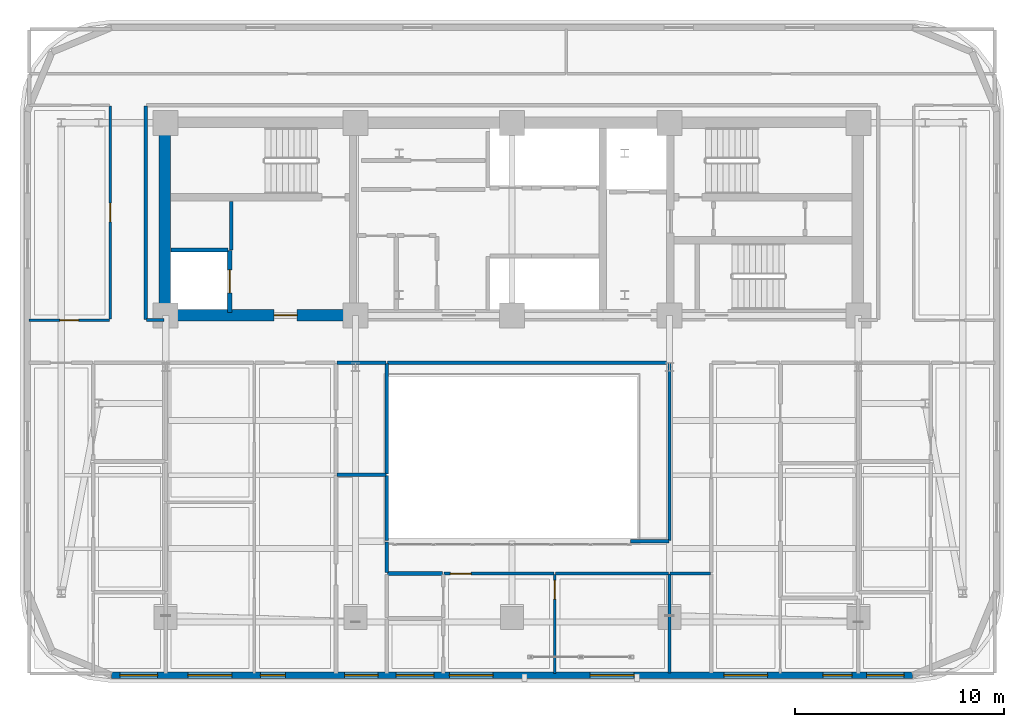
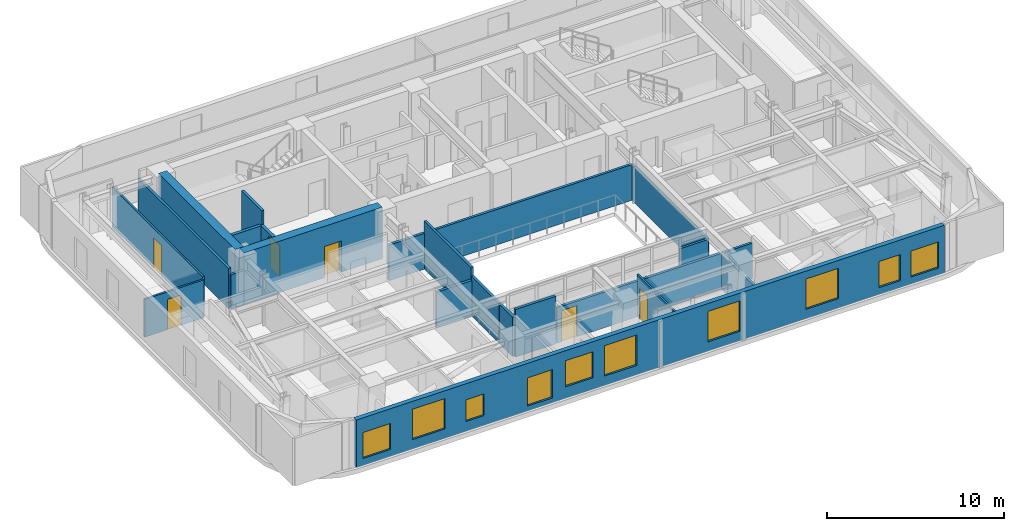
# One storey, part 7 of 13: 24 walls, 10 windows, 6 doors, 16 openings.
"""IFC4 building model written with IfcOpenShell, lengths in metres."""

from ifc_helpers import new_model, si_unit, direction, frame, frame_2d, origin, place, context, subcontext, project, spatial, rectangle, extrude, material, layer, layer_set, type_object, element, fill, save


model = new_model("IFC4")

# Units and contexts
model_context = context("Model", 3, precision=1e-05, world=origin(), true_north=direction((0.0, 1.0)))
body_context = subcontext(model_context, "Body", "Model", "MODEL_VIEW")
ifc_project = project(units=[si_unit("LENGTHUNIT", "METRE"), si_unit("AREAUNIT", "SQUARE_METRE"), si_unit("VOLUMEUNIT", "CUBIC_METRE"), si_unit("PLANEANGLEUNIT", "RADIAN"), si_unit("MASSUNIT", "GRAM", prefix="KILO")], contexts=[model_context])

# Site, building, storey
site_placement = place(None, origin())
site = spatial("IfcSite", under=ifc_project, at=site_placement, CompositionType="ELEMENT")
building_placement = place(site_placement, origin())
building = spatial("IfcBuilding", under=site, at=building_placement, Name="Zarnavel Station Tower", CompositionType="ELEMENT")
storey_placement = place(building_placement, frame((0.0, 0.0, 141.25)))
storey = spatial("IfcBuildingStorey", under=building, at=storey_placement, Name="L38", CompositionType="ELEMENT", Elevation=141.25)

# Wall, opening, door
ifc_material_1 = material(Name="Concrete C50/60", Category="concrete")
ifc_layer_1 = layer(ifc_material_1, 0.550048828125)
ifc_layer_set_1 = layer_set([ifc_layer_1], Name="CW_550")
wall_type_1 = type_object("IfcWallType", Name="CW_550", PredefinedType="SHEAR", material=ifc_layer_set_1)
wall_1_placement = place(storey_placement, frame((21.179931640625, 27.820068359375, 0.0), z_axis=(0.0, 0.0, 1.0), x_axis=(-1.0, 0.0, 0.0)))
wall_1 = element("IfcWall", 1, at=wall_1_placement, inside=storey, type_object=wall_type_1, Name="L38 Rear Core Shear Wall S-W", PredefinedType="SHEAR", context=body_context, shape_type="SweptSolid", body=[
    extrude(rectangle(XDim=9.030029296875, YDim=0.550048828125, at=frame_2d((4.51513671875, 0.0))), origin(), (0.0, 0.0, 1.0), 3.550048828125),
])
opening_1_placement = place(wall_1_placement, frame((2.679931640625, 0.0, 0.0)))
opening_1 = element("IfcOpeningElement", 2, at=opening_1_placement, cuts=wall_1, Name="Opening FD01", PredefinedType="OPENING", context=body_context, shape_type="SweptSolid", body=[
    extrude(rectangle(XDim=1.10009765625, YDim=2.14990234375, at=frame_2d((0.550048828125, 1.074951171875))), frame((0.0, 0.284912109375, 0.0), z_axis=(0.0, -1.0, 0.0), x_axis=(1.0, 0.0, 0.0)), (0.0, 0.0, 1.0), 0.570068359375),
])
ifc_material_2 = material(Name="Painted Galvanised Steel and Hardwood Leaf", Category="steel")
door_type_1 = type_object("IfcDoorType", Name="ID_STAIR_1100", OperationType="NOTDEFINED", PredefinedType="DOOR", material=ifc_material_2)
door_1_placement = place(opening_1_placement, origin())
door_1 = element("IfcDoor", 3, at=door_1_placement, inside=storey, type_object=door_type_1, Name="L38 West Firefighting Lobby Door", OperationType="SINGLE_SWING_RIGHT", OverallHeight=2.14990234375, OverallWidth=1.10009765625, PredefinedType="DOOR", context=body_context, shape_type="SweptSolid", body=[
    extrude(rectangle(XDim=1.10009765625, YDim=2.14990234375, at=frame_2d((0.550048828125, 1.074951171875))), frame((0.0, 0.02490234375, 0.0), z_axis=(0.0, -1.0, 0.0), x_axis=(1.0, 0.0, 0.0)), (0.0, 0.0, 1.0), 0.050048828125),
])
fill(opening_1, door_1)

# Wall
wall_2_placement = place(storey_placement, frame((12.14990234375, 28.094970703125, 0.0), z_axis=(0.0, 0.0, 1.0), x_axis=(0.0, 1.0, 0.0)))
element("IfcWall", 4, at=wall_2_placement, inside=storey, type_object=wall_type_1, Name="L38 Rear Core Shear Wall W", PredefinedType="SHEAR", context=body_context, shape_type="SweptSolid", body=[
    extrude(rectangle(XDim=8.679931640625, YDim=0.550048828125, at=frame_2d((4.33984375, 0.0))), origin(), (0.0, 0.0, 1.0), 3.550048828125),
])

# Wall, openings, windows
ifc_material_3 = material(Name="Precast concrete C45/55 (Dark Basalt Finish)", Category="masonry")
ifc_layer_2 = layer(ifc_material_3, 0.300048828125)
ifc_layer_set_2 = layer_set([ifc_layer_2], Name="EW_BASALT_300")
wall_type_2 = type_object("IfcWallType", Name="EW_BASALT_300", PredefinedType="SOLIDWALL", material=ifc_layer_set_2)
wall_3_placement = place(storey_placement, frame((48.0, 10.580078125, 0.0), z_axis=(0.0, 0.0, 1.0), x_axis=(-1.0, 0.0, 0.0)))
wall_3 = element("IfcWall", 5, at=wall_3_placement, inside=storey, type_object=wall_type_2, Name="L38 Exterior Basalt Masonry Frame Wall 12", PredefinedType="SOLIDWALL", context=body_context, shape_type="SweptSolid", body=[
    extrude(rectangle(XDim=38.39990234375, YDim=0.300048828125, at=frame_2d((19.199951171875, 0.0))), origin(), (0.0, 0.0, 1.0), 3.2900390625),
])
opening_2_placement = place(wall_3_placement, frame((36.18994140625, 0.0, 0.47998046875)))
opening_2 = element("IfcOpeningElement", 6, at=opening_2_placement, cuts=wall_3, Name="Opening WN02", PredefinedType="OPENING", context=body_context, shape_type="SweptSolid", body=[
    extrude(rectangle(XDim=1.800048828125, YDim=1.800048828125, at=frame_2d((0.89990234375, 0.89990234375))), frame((0.0, 0.159912109375, 0.0), z_axis=(0.0, -1.0, 0.0), x_axis=(1.0, 0.0, 0.0)), (0.0, 0.0, 1.0), 0.320068359375),
])
opening_3_placement = place(wall_3_placement, frame((30.06005859375, 0.0, 0.679931640625)))
opening_3 = element("IfcOpeningElement", 7, at=opening_3_placement, cuts=wall_3, Name="Opening WN08", PredefinedType="OPENING", context=body_context, shape_type="SweptSolid", body=[
    extrude(rectangle(XDim=1.199951171875, YDim=1.5, at=frame_2d((0.60009765625, 0.75))), frame((0.0, 0.159912109375, 0.0), z_axis=(0.0, -1.0, 0.0), x_axis=(1.0, 0.0, 0.0)), (0.0, 0.0, 1.0), 0.320068359375),
])
opening_4_placement = place(wall_3_placement, frame((25.618896484375, 0.0, 0.340087890625)))
opening_4 = element("IfcOpeningElement", 8, at=opening_4_placement, cuts=wall_3, Name="Opening WN06", PredefinedType="OPENING", context=body_context, shape_type="SweptSolid", body=[
    extrude(rectangle(XDim=1.60009765625, YDim=1.949951171875, at=frame_2d((0.800048828125, 0.97509765625))), frame((0.0, 0.159912109375, 0.0), z_axis=(0.0, -1.0, 0.0), x_axis=(1.0, 0.0, 0.0)), (0.0, 0.0, 1.0), 0.320068359375),
])
opening_5_placement = place(wall_3_placement, frame((32.6298828125, 0.0, 0.64990234375)))
opening_5 = element("IfcOpeningElement", 9, at=opening_5_placement, cuts=wall_3, Name="Opening WN05", PredefinedType="OPENING", context=body_context, shape_type="SweptSolid", body=[
    extrude(rectangle(XDim=2.10009765625, YDim=2.10009765625, at=frame_2d((1.050048828125, 1.050048828125))), frame((0.0, 0.159912109375, 0.0), z_axis=(0.0, -1.0, 0.0), x_axis=(1.0, 0.0, 0.0)), (0.0, 0.0, 1.0), 0.320068359375),
])
opening_6_placement = place(wall_3_placement, frame((20.10009765625, 0.0, 0.64990234375)))
opening_6 = element("IfcOpeningElement", 10, at=opening_6_placement, cuts=wall_3, Name="Opening WN05", PredefinedType="OPENING", context=body_context, shape_type="SweptSolid", body=[
    extrude(rectangle(XDim=2.10009765625, YDim=2.10009765625, at=frame_2d((1.050048828125, 1.050048828125))), frame((0.0, 0.159912109375, 0.0), z_axis=(0.0, -1.0, 0.0), x_axis=(1.0, 0.0, 0.0)), (0.0, 0.0, 1.0), 0.320068359375),
])
opening_7_placement = place(wall_3_placement, frame((22.949951171875, 0.0, 0.800048828125)))
opening_7 = element("IfcOpeningElement", 11, at=opening_7_placement, cuts=wall_3, Name="Opening WN02", PredefinedType="OPENING", context=body_context, shape_type="SweptSolid", body=[
    extrude(rectangle(XDim=1.800048828125, YDim=1.800048828125, at=frame_2d((0.89990234375, 0.89990234375))), frame((0.0, 0.159912109375, 0.0), z_axis=(0.0, -1.0, 0.0), x_axis=(1.0, 0.0, 0.0)), (0.0, 0.0, 1.0), 0.320068359375),
])
opening_8_placement = place(wall_3_placement, frame((13.35009765625, 0.0, 0.64990234375)))
opening_8 = element("IfcOpeningElement", 12, at=opening_8_placement, cuts=wall_3, Name="Opening WN05", PredefinedType="OPENING", context=body_context, shape_type="SweptSolid", body=[
    extrude(rectangle(XDim=2.10009765625, YDim=2.10009765625, at=frame_2d((1.050048828125, 1.050048828125))), frame((0.0, 0.159912109375, 0.0), z_axis=(0.0, -1.0, 0.0), x_axis=(1.0, 0.0, 0.0)), (0.0, 0.0, 1.0), 0.320068359375),
])
opening_9_placement = place(wall_3_placement, frame((6.943603515625, 0.0, 0.64990234375)))
opening_9 = element("IfcOpeningElement", 13, at=opening_9_placement, cuts=wall_3, Name="Opening WN05", PredefinedType="OPENING", context=body_context, shape_type="SweptSolid", body=[
    extrude(rectangle(XDim=2.10009765625, YDim=2.10009765625, at=frame_2d((1.050048828125, 1.050048828125))), frame((0.0, 0.159912109375, 0.0), z_axis=(0.0, -1.0, 0.0), x_axis=(1.0, 0.0, 0.0)), (0.0, 0.0, 1.0), 0.320068359375),
])
opening_10_placement = place(wall_3_placement, frame((2.89990234375, 0.0, 0.47998046875)))
opening_10 = element("IfcOpeningElement", 14, at=opening_10_placement, cuts=wall_3, Name="Opening WN01", PredefinedType="OPENING", context=body_context, shape_type="SweptSolid", body=[
    extrude(rectangle(XDim=1.39990234375, YDim=1.800048828125, at=frame_2d((0.699951171875, 0.89990234375))), frame((0.0, 0.159912109375, 0.0), z_axis=(0.0, -1.0, 0.0), x_axis=(1.0, 0.0, 0.0)), (0.0, 0.0, 1.0), 0.320068359375),
])
opening_11_placement = place(wall_3_placement, frame((0.409912109375, 0.0, 0.47998046875)))
opening_11 = element("IfcOpeningElement", 15, at=opening_11_placement, cuts=wall_3, Name="Opening WN02", PredefinedType="OPENING", context=body_context, shape_type="SweptSolid", body=[
    extrude(rectangle(XDim=1.800048828125, YDim=1.800048828125, at=frame_2d((0.89990234375, 0.89990234375))), frame((0.0, 0.159912109375, 0.0), z_axis=(0.0, -1.0, 0.0), x_axis=(1.0, 0.0, 0.0)), (0.0, 0.0, 1.0), 0.320068359375),
])
ifc_material_4 = material(Name="Thermally Broken Black Aluminium and Low-E Dark Glass", Category="aluminium")
window_type_1 = type_object("IfcWindowType", Name="WN_1200x1500", PartitioningType="SINGLE_PANEL", PredefinedType="WINDOW", material=ifc_material_4)
window_1_placement = place(opening_3_placement, origin())
window_1 = element("IfcWindow", 16, at=window_1_placement, inside=storey, type_object=window_type_1, Name="L38 Recessed Facade Window 02", OverallHeight=1.5, OverallWidth=1.199951171875, PartitioningType="SINGLE_PANEL", PredefinedType="WINDOW", context=body_context, shape_type="SweptSolid", body=[
    extrude(rectangle(XDim=1.199951171875, YDim=1.5, at=frame_2d((0.60009765625, 0.75))), frame((0.0, 0.030029296875, 0.0), z_axis=(0.0, -1.0, 0.0), x_axis=(1.0, 0.0, 0.0)), (0.0, 0.0, 1.0), 0.06005859375),
])
fill(opening_3, window_1)
ifc_material_5 = material(Name="Thermally Broken Black Aluminium and Low-E Dark Glass", Category="aluminium")
window_type_2 = type_object("IfcWindowType", Name="WN_1400x1800", PartitioningType="DOUBLE_PANEL_VERTICAL", PredefinedType="WINDOW", material=ifc_material_5)
window_2_placement = place(opening_10_placement, origin())
window_2 = element("IfcWindow", 17, at=window_2_placement, inside=storey, type_object=window_type_2, Name="L38 Recessed Facade Window 09", OverallHeight=1.800048828125, OverallWidth=1.39990234375, PartitioningType="SINGLE_PANEL", PredefinedType="WINDOW", context=body_context, shape_type="SweptSolid", body=[
    extrude(rectangle(XDim=1.39990234375, YDim=1.800048828125, at=frame_2d((0.699951171875, 0.89990234375))), frame((0.0, 0.030029296875, 0.0), z_axis=(0.0, -1.0, 0.0), x_axis=(1.0, 0.0, 0.0)), (0.0, 0.0, 1.0), 0.06005859375),
])
fill(opening_10, window_2)
ifc_material_6 = material(Name="Thermally Broken Black Aluminium and Low-E Dark Glass", Category="aluminium")
window_type_3 = type_object("IfcWindowType", Name="WN_1600x1950", PartitioningType="DOUBLE_PANEL_VERTICAL", PredefinedType="WINDOW", material=ifc_material_6)
window_3_placement = place(opening_4_placement, origin())
window_3 = element("IfcWindow", 18, at=window_3_placement, inside=storey, type_object=window_type_3, Name="L38 Recessed Facade Window 03", OverallHeight=1.949951171875, OverallWidth=1.60009765625, PartitioningType="SINGLE_PANEL", PredefinedType="WINDOW", context=body_context, shape_type="SweptSolid", body=[
    extrude(rectangle(XDim=1.60009765625, YDim=1.949951171875, at=frame_2d((0.800048828125, 0.97509765625))), frame((0.0, 0.030029296875, 0.0), z_axis=(0.0, -1.0, 0.0), x_axis=(1.0, 0.0, 0.0)), (0.0, 0.0, 1.0), 0.06005859375),
])
fill(opening_4, window_3)
ifc_material_7 = material(Name="Thermally Broken Black Aluminium and Low-E Dark Glass", Category="aluminium")
window_type_4 = type_object("IfcWindowType", Name="WN_1800x1800", PartitioningType="DOUBLE_PANEL_VERTICAL", PredefinedType="WINDOW", material=ifc_material_7)
window_4_placement = place(opening_2_placement, origin())
window_4 = element("IfcWindow", 19, at=window_4_placement, inside=storey, type_object=window_type_4, Name="L38 Recessed Facade Window 01", OverallHeight=1.800048828125, OverallWidth=1.800048828125, PartitioningType="SINGLE_PANEL", PredefinedType="WINDOW", context=body_context, shape_type="SweptSolid", body=[
    extrude(rectangle(XDim=1.800048828125, YDim=1.800048828125, at=frame_2d((0.89990234375, 0.89990234375))), frame((0.0, 0.030029296875, 0.0), z_axis=(0.0, -1.0, 0.0), x_axis=(1.0, 0.0, 0.0)), (0.0, 0.0, 1.0), 0.06005859375),
])
fill(opening_2, window_4)
window_5_placement = place(opening_7_placement, origin())
window_5 = element("IfcWindow", 20, at=window_5_placement, inside=storey, type_object=window_type_4, Name="L38 Recessed Facade Window 06", OverallHeight=1.800048828125, OverallWidth=1.800048828125, PartitioningType="SINGLE_PANEL", PredefinedType="WINDOW", context=body_context, shape_type="SweptSolid", body=[
    extrude(rectangle(XDim=1.800048828125, YDim=1.800048828125, at=frame_2d((0.89990234375, 0.89990234375))), frame((0.0, 0.030029296875, 0.0), z_axis=(0.0, -1.0, 0.0), x_axis=(1.0, 0.0, 0.0)), (0.0, 0.0, 1.0), 0.06005859375),
])
fill(opening_7, window_5)
window_6_placement = place(opening_11_placement, origin())
window_6 = element("IfcWindow", 21, at=window_6_placement, inside=storey, type_object=window_type_4, Name="L38 Recessed Facade Window 10", OverallHeight=1.800048828125, OverallWidth=1.800048828125, PartitioningType="SINGLE_PANEL", PredefinedType="WINDOW", context=body_context, shape_type="SweptSolid", body=[
    extrude(rectangle(XDim=1.800048828125, YDim=1.800048828125, at=frame_2d((0.89990234375, 0.89990234375))), frame((0.0, 0.030029296875, 0.0), z_axis=(0.0, -1.0, 0.0), x_axis=(1.0, 0.0, 0.0)), (0.0, 0.0, 1.0), 0.06005859375),
])
fill(opening_11, window_6)
ifc_material_8 = material(Name="Thermally Broken Black Aluminium and Low-E Dark Glass", Category="aluminium")
window_type_5 = type_object("IfcWindowType", Name="WN_2100x2100", PartitioningType="TRIPLE_PANEL_VERTICAL", PredefinedType="WINDOW", material=ifc_material_8)
window_7_placement = place(opening_5_placement, origin())
window_7 = element("IfcWindow", 22, at=window_7_placement, inside=storey, type_object=window_type_5, Name="L38 Recessed Facade Window 04", OverallHeight=2.10009765625, OverallWidth=2.10009765625, PartitioningType="SINGLE_PANEL", PredefinedType="WINDOW", context=body_context, shape_type="SweptSolid", body=[
    extrude(rectangle(XDim=2.10009765625, YDim=2.10009765625, at=frame_2d((1.050048828125, 1.050048828125))), frame((0.0, 0.030029296875, 0.0), z_axis=(0.0, -1.0, 0.0), x_axis=(1.0, 0.0, 0.0)), (0.0, 0.0, 1.0), 0.06005859375),
])
fill(opening_5, window_7)
window_8_placement = place(opening_6_placement, origin())
window_8 = element("IfcWindow", 23, at=window_8_placement, inside=storey, type_object=window_type_5, Name="L38 Recessed Facade Window 05", OverallHeight=2.10009765625, OverallWidth=2.10009765625, PartitioningType="SINGLE_PANEL", PredefinedType="WINDOW", context=body_context, shape_type="SweptSolid", body=[
    extrude(rectangle(XDim=2.10009765625, YDim=2.10009765625, at=frame_2d((1.050048828125, 1.050048828125))), frame((0.0, 0.030029296875, 0.0), z_axis=(0.0, -1.0, 0.0), x_axis=(1.0, 0.0, 0.0)), (0.0, 0.0, 1.0), 0.06005859375),
])
fill(opening_6, window_8)
window_9_placement = place(opening_8_placement, origin())
window_9 = element("IfcWindow", 24, at=window_9_placement, inside=storey, type_object=window_type_5, Name="L38 Recessed Facade Window 07", OverallHeight=2.10009765625, OverallWidth=2.10009765625, PartitioningType="SINGLE_PANEL", PredefinedType="WINDOW", context=body_context, shape_type="SweptSolid", body=[
    extrude(rectangle(XDim=2.10009765625, YDim=2.10009765625, at=frame_2d((1.050048828125, 1.050048828125))), frame((0.0, 0.030029296875, 0.0), z_axis=(0.0, -1.0, 0.0), x_axis=(1.0, 0.0, 0.0)), (0.0, 0.0, 1.0), 0.06005859375),
])
fill(opening_8, window_9)
window_10_placement = place(opening_9_placement, origin())
window_10 = element("IfcWindow", 25, at=window_10_placement, inside=storey, type_object=window_type_5, Name="L38 Recessed Facade Window 08", OverallHeight=2.10009765625, OverallWidth=2.10009765625, PartitioningType="SINGLE_PANEL", PredefinedType="WINDOW", context=body_context, shape_type="SweptSolid", body=[
    extrude(rectangle(XDim=2.10009765625, YDim=2.10009765625, at=frame_2d((1.050048828125, 1.050048828125))), frame((0.0, 0.030029296875, 0.0), z_axis=(0.0, -1.0, 0.0), x_axis=(1.0, 0.0, 0.0)), (0.0, 0.0, 1.0), 0.06005859375),
])
fill(opening_9, window_10)

# Wall, opening, door
ifc_material_9 = material(Name="Gypsum Twin-Stud Acoustic Fire Partition", Category="concrete")
ifc_layer_3 = layer(ifc_material_9, 0.159912109375)
ifc_layer_set_3 = layer_set([ifc_layer_3], Name="PT_DEMISE_160")
wall_type_3 = type_object("IfcWallType", Name="PT_DEMISE_160", PredefinedType="PARTITIONING", material=ifc_layer_set_3)
wall_4_placement = place(storey_placement, frame((25.5400390625, 15.449951171875, 0.0), z_axis=(0.0, 0.0, 1.0), x_axis=(1.0, 0.0, 0.0)))
wall_4 = element("IfcWall", 26, at=wall_4_placement, inside=storey, type_object=wall_type_3, Name="L38 Partition COR-AS-US1LV", PredefinedType="PARTITIONING", context=body_context, shape_type="SweptSolid", body=[
    extrude(rectangle(XDim=5.27001953125, YDim=0.159912109375, at=frame_2d((2.635009765625, 0.0))), origin(), (0.0, 0.0, 1.0), 2.4560546875),
])
opening_12_placement = place(wall_4_placement, frame((0.30615234375, 0.0, 0.0)))
opening_12 = element("IfcOpeningElement", 27, at=opening_12_placement, cuts=wall_4, Name="Opening FD02", PredefinedType="OPENING", context=body_context, shape_type="SweptSolid", body=[
    extrude(rectangle(XDim=1.0, YDim=2.14990234375, at=frame_2d((0.5, 1.074951171875))), frame((0.0, 0.08984375, 0.0), z_axis=(0.0, -1.0, 0.0), x_axis=(1.0, 0.0, 0.0)), (0.0, 0.0, 1.0), 0.179931640625),
])
ifc_material_10 = material(Name="Painted Galvanised Steel and Hardwood Leaf", Category="steel")
door_type_2 = type_object("IfcDoorType", Name="ID_ENTRY_1000", OperationType="NOTDEFINED", PredefinedType="DOOR", material=ifc_material_10)
door_2_placement = place(opening_12_placement, origin())
door_2 = element("IfcDoor", 28, at=door_2_placement, inside=storey, type_object=door_type_2, Name="L38 Door COR-AS-US1LV", OperationType="SINGLE_SWING_RIGHT", OverallHeight=2.14990234375, OverallWidth=1.0, PredefinedType="DOOR", context=body_context, shape_type="SweptSolid", body=[
    extrude(rectangle(XDim=1.0, YDim=2.14990234375, at=frame_2d((0.5, 1.074951171875))), frame((0.0, 0.02490234375, 0.0), z_axis=(0.0, -1.0, 0.0), x_axis=(1.0, 0.0, 0.0)), (0.0, 0.0, 1.0), 0.050048828125),
])
fill(opening_12, door_2)

# Walls
wall_5_placement = place(storey_placement, frame((30.889892578125, 15.449951171875, 0.0), z_axis=(0.0, 0.0, 1.0), x_axis=(1.0, 0.0, 0.0)))
element("IfcWall", 29, at=wall_5_placement, inside=storey, type_object=wall_type_3, Name="L38 Partition COR-AS-US1B1", PredefinedType="PARTITIONING", context=body_context, shape_type="SweptSolid", body=[
    extrude(rectangle(XDim=5.420166015625, YDim=0.159912109375, at=frame_2d((2.7099609375, 0.0))), origin(), (0.0, 0.0, 1.0), 2.4560546875),
])
wall_6_placement = place(storey_placement, frame((15.35009765625, 30.9599609375, 0.0), z_axis=(0.0, 0.0, 1.0), x_axis=(0.0, 1.0, 0.0)))
element("IfcWall", 30, at=wall_6_placement, inside=storey, type_object=wall_type_3, Name="L38 Enclosure Wall FFL1", PredefinedType="PARTITIONING", context=body_context, shape_type="SweptSolid", body=[
    extrude(rectangle(XDim=2.31005859375, YDim=0.159912109375, at=frame_2d((1.155029296875, 0.0))), origin(), (0.0, 0.0, 1.0), 3.2900390625),
])
wall_7_placement = place(storey_placement, frame((22.830078125, 25.550048828125, 0.0), z_axis=(0.0, 0.0, 1.0), x_axis=(1.0, 0.0, 0.0)))
element("IfcWall", 31, at=wall_7_placement, inside=storey, type_object=wall_type_3, Name="L38 Enclosure Wall COR-S", PredefinedType="PARTITIONING", context=body_context, shape_type="SweptSolid", body=[
    extrude(rectangle(XDim=13.489990234375, YDim=0.159912109375, at=frame_2d((6.7451171875, 0.0))), origin(), (0.0, 0.0, 1.0), 2.4560546875),
])
wall_8_placement = place(storey_placement, frame((11.280029296875, 27.60009765625, 0.0), z_axis=(0.0, 0.0, 1.0), x_axis=(1.0, 0.0, 0.0)))
element("IfcWall", 32, at=wall_8_placement, inside=storey, type_object=wall_type_3, Name="L38 Enclosure Wall COR-S", PredefinedType="PARTITIONING", context=body_context, shape_type="SweptSolid", body=[
    extrude(rectangle(XDim=0.840087890625, YDim=0.159912109375, at=frame_2d((0.419921875, 0.0))), origin(), (0.0, 0.0, 1.0), 2.360107421875),
])
wall_9_placement = place(storey_placement, frame((11.25, 27.6298828125, 0.0), z_axis=(0.0, 0.0, 1.0), x_axis=(0.0, 1.0, 0.0)))
element("IfcWall", 33, at=wall_9_placement, inside=storey, type_object=wall_type_3, Name="L38 Enclosure Wall COR-W", PredefinedType="PARTITIONING", context=body_context, shape_type="SweptSolid", body=[
    extrude(rectangle(XDim=10.240234375, YDim=0.159912109375, at=frame_2d((5.1201171875, 0.0))), origin(), (0.0, 0.0, 1.0), 2.77001953125),
])
wall_10_placement = place(storey_placement, frame((36.3798828125, 15.449951171875, 0.0), z_axis=(0.0, 0.0, 1.0), x_axis=(1.0, 0.0, 0.0)))
element("IfcWall", 34, at=wall_10_placement, inside=storey, type_object=wall_type_3, Name="L38 Enclosure Wall COR-AE", PredefinedType="PARTITIONING", context=body_context, shape_type="SweptSolid", body=[
    extrude(rectangle(XDim=1.940185546875, YDim=0.159912109375, at=frame_2d((0.97021484375, 0.0))), origin(), (0.0, 0.0, 1.0), 2.4560546875),
])
wall_11_placement = place(storey_placement, frame((36.35009765625, 17.030029296875, 0.0), z_axis=(0.0, 0.0, 1.0), x_axis=(0.0, 1.0, 0.0)))
element("IfcWall", 35, at=wall_11_placement, inside=storey, type_object=wall_type_3, Name="L38 Enclosure Wall COR-AE", PredefinedType="PARTITIONING", context=body_context, shape_type="SweptSolid", body=[
    extrude(rectangle(XDim=8.489990234375, YDim=0.159912109375, at=frame_2d((4.2451171875, 0.0))), origin(), (0.0, 0.0, 1.0), 2.4560546875),
])
wall_12_placement = place(storey_placement, frame((34.47998046875, 17.0, 0.0), z_axis=(0.0, 0.0, 1.0), x_axis=(1.0, 0.0, 0.0)))
element("IfcWall", 36, at=wall_12_placement, inside=storey, type_object=wall_type_3, Name="L38 Enclosure Wall COR-AS", PredefinedType="PARTITIONING", context=body_context, shape_type="SweptSolid", body=[
    extrude(rectangle(XDim=1.840087890625, YDim=0.159912109375, at=frame_2d((0.919921875, 0.0))), origin(), (0.0, 0.0, 1.0), 2.4560546875),
])
wall_13_placement = place(storey_placement, frame((22.800048828125, 17.030029296875, 0.0), z_axis=(0.0, 0.0, 1.0), x_axis=(0.0, 1.0, 0.0)))
element("IfcWall", 37, at=wall_13_placement, inside=storey, type_object=wall_type_3, Name="L38 Enclosure Wall UW2KT", PredefinedType="PARTITIONING", context=body_context, shape_type="SweptSolid", body=[
    extrude(rectangle(XDim=3.1298828125, YDim=0.159912109375, at=frame_2d((1.56494140625, 0.0))), origin(), (0.0, 0.0, 1.0), 2.72998046875),
])
wall_14_placement = place(storey_placement, frame((22.800048828125, 20.219970703125, 0.0), z_axis=(0.0, 0.0, 1.0), x_axis=(0.0, 1.0, 0.0)))
element("IfcWall", 38, at=wall_14_placement, inside=storey, type_object=wall_type_3, Name="L38 Enclosure Wall UW2BA", PredefinedType="PARTITIONING", context=body_context, shape_type="SweptSolid", body=[
    extrude(rectangle(XDim=5.300048828125, YDim=0.159912109375, at=frame_2d((2.64990234375, 0.0))), origin(), (0.0, 0.0, 1.0), 3.2900390625),
])
wall_15_placement = place(storey_placement, frame((36.35009765625, 10.68994140625, 0.0), z_axis=(0.0, 0.0, 1.0), x_axis=(0.0, 1.0, 0.0)))
element("IfcWall", 39, at=wall_15_placement, inside=storey, type_object=wall_type_3, Name="L38 Enclosure Wall US1B1", PredefinedType="PARTITIONING", context=body_context, shape_type="SweptSolid", body=[
    extrude(rectangle(XDim=4.72998046875, YDim=0.159912109375, at=frame_2d((2.364990234375, 0.0))), origin(), (0.0, 0.0, 1.0), 2.4560546875),
])

# Wall, opening, door
ifc_material_11 = material(Name="Gypsum Metal-Stud Interior Partition", Category="concrete")
ifc_layer_4 = layer(ifc_material_11, 0.1201171875)
ifc_layer_set_4 = layer_set([ifc_layer_4], Name="PT_ROOM_120")
wall_type_4 = type_object("IfcWallType", Name="PT_ROOM_120", PredefinedType="PARTITIONING", material=ifc_layer_set_4)
wall_16_placement = place(storey_placement, frame((5.659912109375, 27.60009765625, 0.0), z_axis=(0.0, 0.0, 1.0), x_axis=(1.0, 0.0, 0.0)))
wall_16 = element("IfcWall", 40, at=wall_16_placement, inside=storey, type_object=wall_type_4, Name="L38 Partition COR-S-FNW", PredefinedType="PARTITIONING", context=body_context, shape_type="SweptSolid", body=[
    extrude(rectangle(XDim=3.85009765625, YDim=0.1201171875, at=frame_2d((1.925048828125, 0.0))), origin(), (0.0, 0.0, 1.0), 2.6201171875),
])
opening_13_placement = place(wall_16_placement, frame((1.47509765625, 0.0, 0.0)))
opening_13 = element("IfcOpeningElement", 41, at=opening_13_placement, cuts=wall_16, Name="Opening ID01", PredefinedType="OPENING", context=body_context, shape_type="SweptSolid", body=[
    extrude(rectangle(XDim=0.89990234375, YDim=2.10009765625, at=frame_2d((0.449951171875, 1.050048828125))), frame((0.0, 0.070068359375, 0.0), z_axis=(0.0, -1.0, 0.0), x_axis=(1.0, 0.0, 0.0)), (0.0, 0.0, 1.0), 0.14013671875),
])
ifc_material_12 = material(Name="Painted Galvanised Steel and Hardwood Leaf", Category="steel")
door_type_3 = type_object("IfcDoorType", Name="ID_ROOM_900", OperationType="NOTDEFINED", PredefinedType="DOOR", material=ifc_material_12)
door_3_placement = place(opening_13_placement, origin())
door_3 = element("IfcDoor", 42, at=door_3_placement, inside=storey, type_object=door_type_3, Name="L38 Door COR-S-FNW", OperationType="SINGLE_SWING_LEFT", OverallHeight=2.10009765625, OverallWidth=0.89990234375, PredefinedType="DOOR", context=body_context, shape_type="SweptSolid", body=[
    extrude(rectangle(XDim=0.89990234375, YDim=2.10009765625, at=frame_2d((0.449951171875, 1.050048828125))), frame((0.0, 0.02490234375, 0.0), z_axis=(0.0, -1.0, 0.0), x_axis=(1.0, 0.0, 0.0)), (0.0, 0.0, 1.0), 0.050048828125),
])
fill(opening_13, door_3)

wall_17_placement = place(storey_placement, frame((9.550048828125, 27.639892578125, 0.0), z_axis=(0.0, 0.0, 1.0), x_axis=(0.0, 1.0, 0.0)))
wall_17 = element("IfcWall", 43, at=wall_17_placement, inside=storey, type_object=wall_type_4, Name="L38 Partition COR-W-FNW", PredefinedType="PARTITIONING", context=body_context, shape_type="SweptSolid", body=[
    extrude(rectangle(XDim=10.22021484375, YDim=0.1201171875, at=frame_2d((5.110107421875, 0.0))), origin(), (0.0, 0.0, 1.0), 2.77001953125),
])
opening_14_placement = place(wall_17_placement, frame((4.659912109375, 0.0, 0.0)))
opening_14 = element("IfcOpeningElement", 44, at=opening_14_placement, cuts=wall_17, Name="Opening ID01", PredefinedType="OPENING", context=body_context, shape_type="SweptSolid", body=[
    extrude(rectangle(XDim=0.89990234375, YDim=2.10009765625, at=frame_2d((0.449951171875, 1.050048828125))), frame((0.0, 0.070068359375, 0.0), z_axis=(0.0, -1.0, 0.0), x_axis=(1.0, 0.0, 0.0)), (0.0, 0.0, 1.0), 0.14013671875),
])
door_4_placement = place(opening_14_placement, origin())
door_4 = element("IfcDoor", 45, at=door_4_placement, inside=storey, type_object=door_type_3, Name="L38 Door COR-W-FNW", OperationType="SINGLE_SWING_LEFT", OverallHeight=2.10009765625, OverallWidth=0.89990234375, PredefinedType="DOOR", context=body_context, shape_type="SweptSolid", body=[
    extrude(rectangle(XDim=0.89990234375, YDim=2.10009765625, at=frame_2d((0.449951171875, 1.050048828125))), frame((0.0, 0.02490234375, 0.0), z_axis=(0.0, -1.0, 0.0), x_axis=(1.0, 0.0, 0.0)), (0.0, 0.0, 1.0), 0.050048828125),
])
fill(opening_14, door_4)

wall_18_placement = place(storey_placement, frame((30.85009765625, 10.659912109375, 0.0), z_axis=(0.0, 0.0, 1.0), x_axis=(0.0, 1.0, 0.0)))
wall_18 = element("IfcWall", 46, at=wall_18_placement, inside=storey, type_object=wall_type_4, Name="L38 Partition US1LV-US1B1", PredefinedType="PARTITIONING", context=body_context, shape_type="SweptSolid", body=[
    extrude(rectangle(XDim=4.75, YDim=0.1201171875, at=frame_2d((2.375, 0.0))), origin(), (0.0, 0.0, 1.0), 2.909912109375),
])
opening_15_placement = place(wall_18_placement, frame((3.561279296875, 0.0, 0.0)))
opening_15 = element("IfcOpeningElement", 47, at=opening_15_placement, cuts=wall_18, Name="Opening ID01", PredefinedType="OPENING", context=body_context, shape_type="SweptSolid", body=[
    extrude(rectangle(XDim=0.89990234375, YDim=2.10009765625, at=frame_2d((0.449951171875, 1.050048828125))), frame((0.0, 0.070068359375, 0.0), z_axis=(0.0, -1.0, 0.0), x_axis=(1.0, 0.0, 0.0)), (0.0, 0.0, 1.0), 0.14013671875),
])
door_5_placement = place(opening_15_placement, origin())
door_5 = element("IfcDoor", 48, at=door_5_placement, inside=storey, type_object=door_type_3, Name="L38 Door US1LV-US1B1", OperationType="SINGLE_SWING_RIGHT", OverallHeight=2.10009765625, OverallWidth=0.89990234375, PredefinedType="DOOR", context=body_context, shape_type="SweptSolid", body=[
    extrude(rectangle(XDim=0.89990234375, YDim=2.10009765625, at=frame_2d((0.449951171875, 1.050048828125))), frame((0.0, 0.02490234375, 0.0), z_axis=(0.0, -1.0, 0.0), x_axis=(1.0, 0.0, 0.0)), (0.0, 0.0, 1.0), 0.050048828125),
])
fill(opening_15, door_5)

ifc_material_13 = material(Name="Precast concrete C45/55 (Fire Shaft Blockwork)", Category="masonry")
ifc_layer_5 = layer(ifc_material_13, 0.199951171875)
ifc_layer_set_5 = layer_set([ifc_layer_5], Name="PT_SHAFT_200")
wall_type_5 = type_object("IfcWallType", Name="PT_SHAFT_200", PredefinedType="PARTITIONING", material=ifc_layer_set_5)
wall_19_placement = place(storey_placement, frame((15.27001953125, 27.969970703125, 0.0), z_axis=(0.0, 0.0, 1.0), x_axis=(0.0, 1.0, 0.0)))
wall_19 = element("IfcWall", 49, at=wall_19_placement, inside=storey, type_object=wall_type_5, Name="L38 Lift FFL-01 Shaft Front Wall", PredefinedType="PARTITIONING", context=body_context, shape_type="SweptSolid", body=[
    extrude(rectangle(XDim=2.9599609375, YDim=0.199951171875, at=frame_2d((1.47998046875, 0.0))), origin(), (0.0, 0.0, 1.0), 2.360107421875),
])
opening_16_placement = place(wall_19_placement, frame((0.929931640625, 0.0, 0.0)))
opening_16 = element("IfcOpeningElement", 50, at=opening_16_placement, cuts=wall_19, Name="Opening LD01", PredefinedType="OPENING", context=body_context, shape_type="SweptSolid", body=[
    extrude(rectangle(XDim=1.10009765625, YDim=2.14990234375, at=frame_2d((0.550048828125, 1.074951171875))), frame((0.0, 0.10986328125, 0.0), z_axis=(0.0, -1.0, 0.0), x_axis=(1.0, 0.0, 0.0)), (0.0, 0.0, 1.0), 0.219970703125),
])
ifc_material_14 = material(Name="Painted Galvanised Steel and Hardwood Leaf", Category="steel")
door_type_4 = type_object("IfcDoorType", Name="LD_FF_1100", OperationType="DOUBLE_DOOR_SLIDING", PredefinedType="DOOR", material=ifc_material_14)
door_6_placement = place(opening_16_placement, origin())
door_6 = element("IfcDoor", 51, at=door_6_placement, inside=storey, type_object=door_type_4, Name="L38 Lift FFL-01 Sliding Landing Door", OperationType="DOUBLE_DOOR_SLIDING", OverallHeight=2.14990234375, OverallWidth=1.10009765625, PredefinedType="DOOR", context=body_context, shape_type="SweptSolid", body=[
    extrude(rectangle(XDim=1.10009765625, YDim=2.14990234375, at=frame_2d((0.550048828125, 1.074951171875))), frame((0.0, 0.02490234375, 0.0), z_axis=(0.0, -1.0, 0.0), x_axis=(1.0, 0.0, 0.0)), (0.0, 0.0, 1.0), 0.050048828125),
])
fill(opening_16, door_6)

# Walls
wall_20_placement = place(storey_placement, frame((12.449951171875, 30.949951171875, 0.0), z_axis=(0.0, 0.0, 1.0), x_axis=(1.0, 0.0, 0.0)))
element("IfcWall", 52, at=wall_20_placement, inside=storey, type_object=wall_type_5, Name="L38 Lift FFL-01 North Shaft Wall", PredefinedType="PARTITIONING", context=body_context, shape_type="SweptSolid", body=[
    extrude(rectangle(XDim=2.75, YDim=0.199951171875, at=frame_2d((1.375, 0.0))), origin(), (0.0, 0.0, 1.0), 2.360107421875),
])
ifc_material_15 = material(Name="Moisture-Resistant Plumbing Chase Wall", Category="concrete")
ifc_layer_6 = layer(ifc_material_15, 0.179931640625)
ifc_layer_set_6 = layer_set([ifc_layer_6], Name="PW_PLUMB_180")
wall_type_6 = type_object("IfcWallType", Name="PW_PLUMB_180", PredefinedType="PLUMBINGWALL", material=ifc_layer_set_6)
wall_21_placement = place(storey_placement, frame((20.402099609375, 25.550048828125, 0.0), z_axis=(0.0, 0.0, 1.0), x_axis=(1.0, 0.0, 0.0)))
element("IfcWall", 53, at=wall_21_placement, inside=storey, type_object=wall_type_6, Name="L38 Partition COR-S-UW2BA", PredefinedType="PLUMBINGWALL", context=body_context, shape_type="SweptSolid", body=[
    extrude(rectangle(XDim=2.35791015625, YDim=0.179931640625, at=frame_2d((1.178955078125, 0.0))), origin(), (0.0, 0.0, 1.0), 2.4560546875),
])
wall_22_placement = place(storey_placement, frame((22.800048828125, 15.489990234375, 0.0), z_axis=(0.0, 0.0, 1.0), x_axis=(0.0, 1.0, 0.0)))
element("IfcWall", 54, at=wall_22_placement, inside=storey, type_object=wall_type_6, Name="L38 Partition COR-AS-UW2KT", PredefinedType="PLUMBINGWALL", context=body_context, shape_type="SweptSolid", body=[
    extrude(rectangle(XDim=1.469970703125, YDim=0.179931640625, at=frame_2d((0.73486328125, 0.0))), origin(), (0.0, 0.0, 1.0), 2.72998046875),
])
wall_23_placement = place(storey_placement, frame((22.840087890625, 15.449951171875, 0.0), z_axis=(0.0, 0.0, 1.0), x_axis=(1.0, 0.0, 0.0)))
element("IfcWall", 55, at=wall_23_placement, inside=storey, type_object=wall_type_6, Name="L38 Partition COR-AS-US1BA", PredefinedType="PLUMBINGWALL", context=body_context, shape_type="SweptSolid", body=[
    extrude(rectangle(XDim=2.619873046875, YDim=0.179931640625, at=frame_2d((1.31005859375, 0.0))), origin(), (0.0, 0.0, 1.0), 3.2900390625),
])
wall_24_placement = place(storey_placement, frame((20.402099609375, 20.18994140625, 0.0), z_axis=(0.0, 0.0, 1.0), x_axis=(1.0, 0.0, 0.0)))
element("IfcWall", 56, at=wall_24_placement, inside=storey, type_object=wall_type_6, Name="L38 Partition UW2KT-UW2BA", PredefinedType="PLUMBINGWALL", context=body_context, shape_type="SweptSolid", body=[
    extrude(rectangle(XDim=2.35791015625, YDim=0.179931640625, at=frame_2d((1.178955078125, 0.0))), origin(), (0.0, 0.0, 1.0), 2.4560546875),
])

save(model, "model.ifc")
